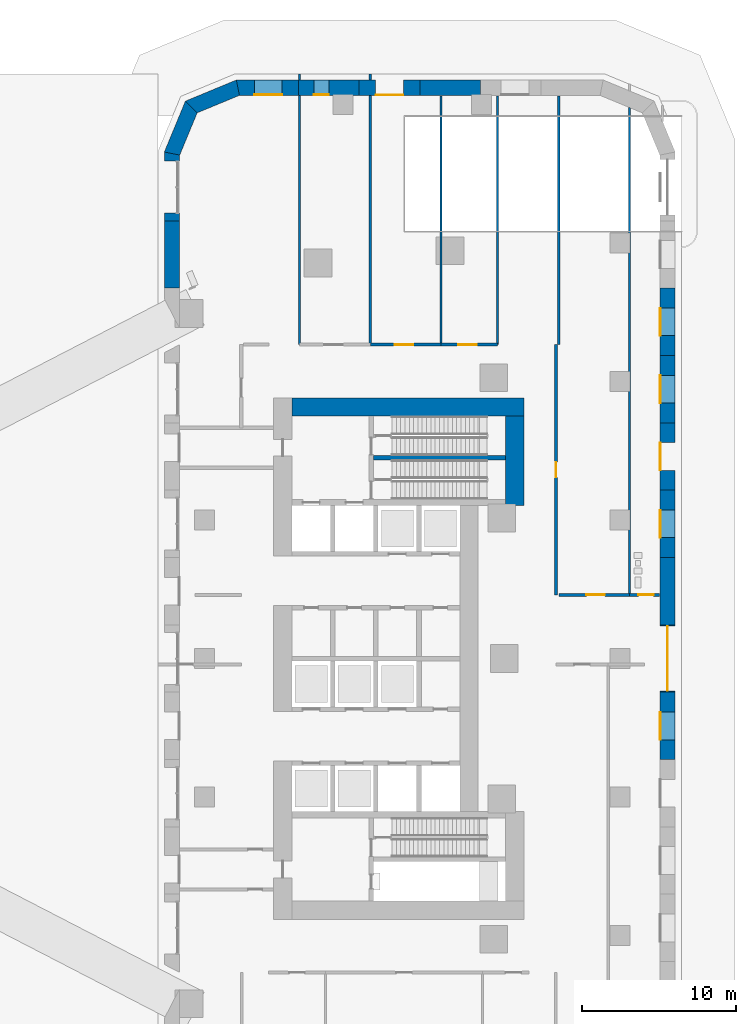
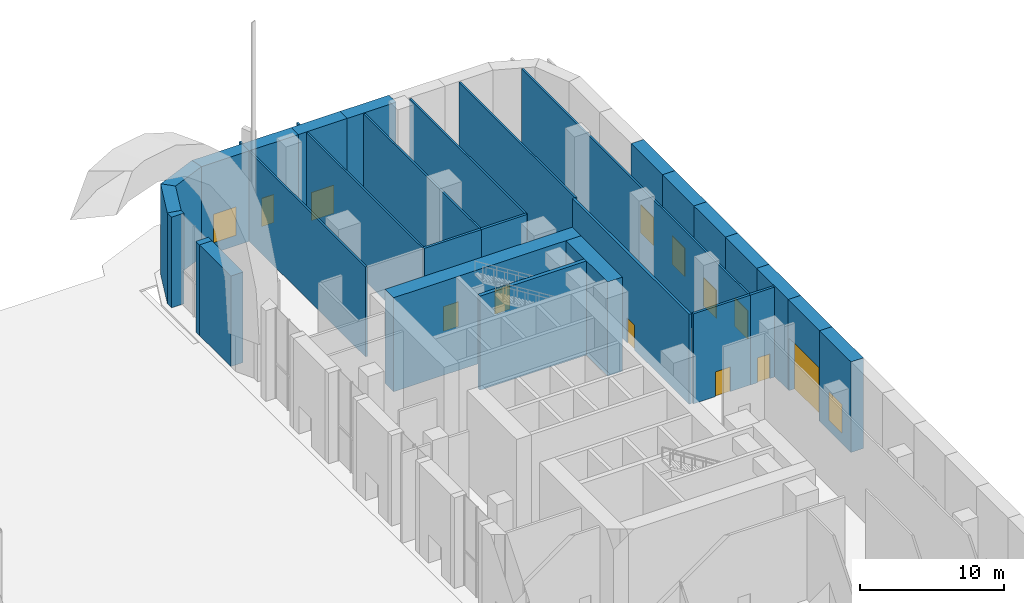
# One storey, part 13 of 22: 32 walls, 8 doors, 6 windows, 14 openings.
"""IFC4 building model written with IfcOpenShell, lengths in metres."""

import ifcopenshell
import ifcopenshell.guid

model = None  # the IFC model being written
_history = None  # IfcOwnerHistory: only IFC2X3 demands one
_inside = {}  # id of a spatial element -> (the spatial element, [elements in it])
_under = {}  # id of a project, library or spatial element -> (it, [spatial elements below it])
_declared = {}  # id of a project -> (the project, [libraries it declares])
_typed = {}  # id of a type object -> (the type object, [elements of that type])
_made_of = {}  # id of a material, layer set ... -> (it, [elements and type objects made of it])


def new_model(schema):
    """Start an empty IFC model of exactly this schema.

    Asked for "IFC4X3", IfcOpenShell would pick the latest addendum, in which some entities
    have other attributes; the version numbers below select the first issue.
    IFC2X3 requires an IfcOwnerHistory on every rooted entity: one is made here for all.
    """
    global model, _history
    if schema == "IFC4X3":
        model = ifcopenshell.file(schema_version=(4, 3, 0, 0))
    else:
        model = ifcopenshell.file(schema=schema)
    _inside.clear()
    _under.clear()
    _declared.clear()
    _typed.clear()
    _made_of.clear()
    _history = None
    if model.schema == "IFC2X3":
        org = make("IfcOrganization", Name="unknown")
        user = make(
            "IfcPersonAndOrganization",
            ThePerson=make("IfcPerson", FamilyName="unknown"),
            TheOrganization=org,
        )
        app = make(
            "IfcApplication",
            ApplicationDeveloper=org,
            Version="unknown",
            ApplicationFullName="unknown",
            ApplicationIdentifier="unknown",
        )
        _history = make(
            "IfcOwnerHistory",
            OwningUser=user,
            OwningApplication=app,
            ChangeAction="ADDED",
            CreationDate=0,
        )
    return model


def make(cls, **values):
    """One entity of the class cls with the attributes given. An attribute that is None is left unset."""
    return model.create_entity(
        cls, **{name: value for name, value in values.items() if value is not None}
    )


def rooted(cls, **values):
    """An entity with a GlobalId (a new one), such as an element, a storey or a relation."""
    return make(cls, GlobalId=ifcopenshell.guid.new(), OwnerHistory=_history, **values)


def si_unit(unit_type, name, prefix=None):
    """IfcSIUnit, for example si_unit("LENGTHUNIT", "METRE", prefix="MILLI")."""
    return make("IfcSIUnit", UnitType=unit_type, Prefix=prefix, Name=name)


def assignment(units):
    """IfcUnitAssignment: the units of a project."""
    return None if units is None else make("IfcUnitAssignment", Units=units)


def point(xyz):
    """IfcCartesianPoint."""
    return None if xyz is None else make("IfcCartesianPoint", Coordinates=xyz)


def direction(xyz):
    """IfcDirection."""
    return None if xyz is None else make("IfcDirection", DirectionRatios=xyz)


def frame(location, z_axis=None, x_axis=None):
    """IfcAxis2Placement3D, a coordinate frame: its origin and axes. An axis left out is left unset."""
    return make(
        "IfcAxis2Placement3D",
        Location=point(location),
        Axis=direction(z_axis),
        RefDirection=direction(x_axis),
    )


def frame_2d(location, x_axis=None):
    """IfcAxis2Placement2D, a coordinate frame in the plane: its origin and x axis."""
    return make(
        "IfcAxis2Placement2D", Location=point(location), RefDirection=direction(x_axis)
    )


def origin():
    """The frame at (0, 0, 0) with its axes left unset."""
    return frame((0.0, 0.0, 0.0))


def place(relative_to, where):
    """IfcLocalPlacement: puts the frame where relative to a parent placement (None: the world)."""
    return make(
        "IfcLocalPlacement", PlacementRelTo=relative_to, RelativePlacement=where
    )


def context(
    kind, dimensions, precision=None, world=None, true_north=None, identifier=None
):
    """IfcGeometricRepresentationContext, for example the 3D "Model" context."""
    return make(
        "IfcGeometricRepresentationContext",
        ContextIdentifier=identifier,
        ContextType=kind,
        CoordinateSpaceDimension=dimensions,
        Precision=precision,
        WorldCoordinateSystem=world,
        TrueNorth=true_north,
    )


def subcontext(parent, identifier, kind, view, scale=None):
    """IfcGeometricRepresentationSubContext, for example "Body" below "Model"."""
    return make(
        "IfcGeometricRepresentationSubContext",
        ContextIdentifier=identifier,
        ContextType=kind,
        ParentContext=parent,
        TargetScale=scale,
        TargetView=view,
    )


def project(units=None, contexts=None):
    """IfcProject with its units and contexts."""
    return rooted(
        "IfcProject",
        Name="project",
        RepresentationContexts=contexts,
        UnitsInContext=assignment(units),
    )


def spatial(cls, under=None, at=None, **own):
    """A site, building, storey or space (cls), placed at a placement, below another one or the project."""
    s = rooted(cls, ObjectPlacement=at, **own)
    if under is not None:
        _under.setdefault(under.id(), (under, []))[1].append(s)
    return s


def polyline(points):
    """IfcPolyline through the points."""
    return make("IfcPolyline", Points=[point(p) for p in points])


def profile(cls, at=None, kind="AREA", **sizes):
    """A parametric profile (cls). Its sizes go by their IFC names, for example OverallWidth=200.0."""
    return make(cls, ProfileType=kind, Position=at, **sizes)


def rectangle(**sizes):
    """IfcRectangleProfileDef."""
    return profile("IfcRectangleProfileDef", **sizes)


def outline(outer, holes=None, kind="AREA"):
    """IfcArbitraryClosedProfileDef: a profile drawn as a closed curve; with holes, ...WithVoids."""
    if holes is None:
        return make("IfcArbitraryClosedProfileDef", ProfileType=kind, OuterCurve=outer)
    return make(
        "IfcArbitraryProfileDefWithVoids",
        ProfileType=kind,
        OuterCurve=outer,
        InnerCurves=holes,
    )


def extrude(swept, where, along, depth):
    """IfcExtrudedAreaSolid: the profile swept, set in the frame where, extruded along a direction by depth."""
    return make(
        "IfcExtrudedAreaSolid",
        SweptArea=swept,
        Position=where,
        ExtrudedDirection=direction(along),
        Depth=depth,
    )


def shape(context_of_items, identifier, shape_type, items):
    """IfcShapeRepresentation: the items that make up one representation, for example the "Body"."""
    return make(
        "IfcShapeRepresentation",
        ContextOfItems=context_of_items,
        RepresentationIdentifier=identifier,
        RepresentationType=shape_type,
        Items=items,
    )


def material(Name=None, Category=None):
    """IfcMaterial."""
    return make("IfcMaterial", Name=Name, Category=Category)


def layer(
    of_material, thickness, ventilated=None, Name=None, Category=None, Priority=None
):
    """IfcMaterialLayer: one layer of a wall or slab, of a material (None: an air gap)."""
    return make(
        "IfcMaterialLayer",
        Material=of_material,
        LayerThickness=thickness,
        IsVentilated=ventilated,
        Name=Name,
        Category=Category,
        Priority=Priority,
    )


def layer_set(layers, Name=None):
    """IfcMaterialLayerSet."""
    return make("IfcMaterialLayerSet", MaterialLayers=layers, LayerSetName=Name)


def made_of(thing, what):
    """Note that an element or type object is made of a material, layer set ...; save() writes the relation."""
    if what is not None:
        _made_of.setdefault(what.id(), (what, []))[1].append(thing)
    return thing


def type_object(cls, material=None, **own):
    """A type object (cls), such as IfcWallType, which elements share."""
    return made_of(rooted(cls, **own), material)


def element(
    cls,
    number,
    at=None,
    inside=None,
    cuts=None,
    type_object=None,
    material=None,
    context=None,
    identifier="Body",
    shape_type=None,
    held_by="IfcProductDefinitionShape",
    body=None,
    shapes=None,
    **own,
):
    """One element of the class cls, such as IfcWall. Its Tag is "e" and its number.

    at: its placement. inside: the storey or other place that contains it. cuts: it is an
    opening in that element (IfcRelVoidsElement). A single representation is given by context,
    identifier, shape_type and body (its items); several are given by shapes. held_by: the class
    of the entity that holds the representations. save() writes the other relations.
    """
    e = rooted(cls, Tag="e%d" % number, ObjectPlacement=at, **own)
    if body is not None:
        shapes = [shape(context, identifier, shape_type, body)]
    if shapes is not None:
        e.Representation = make(held_by, Representations=shapes)
    if inside is not None:
        _inside.setdefault(inside.id(), (inside, []))[1].append(e)
    if cuts is not None:
        rooted(
            "IfcRelVoidsElement", RelatingBuildingElement=cuts, RelatedOpeningElement=e
        )
    if type_object is not None:
        _typed.setdefault(type_object.id(), (type_object, []))[1].append(e)
    return made_of(e, material)


def fill(opening, filler):
    """IfcRelFillsElement: the door or window that sits in an opening."""
    return rooted(
        "IfcRelFillsElement",
        RelatingOpeningElement=opening,
        RelatedBuildingElement=filler,
    )


def aggregate(whole, parts):
    """IfcRelAggregates: a whole, such as a stair, and the parts it consists of."""
    return rooted("IfcRelAggregates", RelatingObject=whole, RelatedObjects=parts)


def save(model, path):
    """Write the relations noted so far, then the file.

    IfcRelAggregates (storeys below a building ...), IfcRelContainedInSpatialStructure (elements
    in a storey), IfcRelDefinesByType, IfcRelAssociatesMaterial and IfcRelDeclares: one each for
    every whole, place, type object, material and project.
    """
    for whole, parts in _under.values():
        aggregate(whole, parts)
    for where, things in _inside.values():
        rooted(
            "IfcRelContainedInSpatialStructure",
            RelatedElements=things,
            RelatingStructure=where,
        )
    for kind, things in _typed.values():
        rooted("IfcRelDefinesByType", RelatedObjects=things, RelatingType=kind)
    for what, things in _made_of.values():
        rooted("IfcRelAssociatesMaterial", RelatedObjects=things, RelatingMaterial=what)
    for by, libraries in _declared.values():
        rooted("IfcRelDeclares", RelatingContext=by, RelatedDefinitions=libraries)
    model.write(path)


model = new_model("IFC4")

# Units and contexts
model_context = context("Model", 3, precision=1e-05, world=origin(), true_north=direction((0.0, 1.0)))
body_context = subcontext(model_context, "Body", "Model", "MODEL_VIEW")
ifc_project = project(units=[si_unit("LENGTHUNIT", "METRE"), si_unit("AREAUNIT", "SQUARE_METRE"), si_unit("VOLUMEUNIT", "CUBIC_METRE"), si_unit("PLANEANGLEUNIT", "RADIAN"), si_unit("MASSUNIT", "GRAM", prefix="KILO")], contexts=[model_context])

# Site, building, storey
site_placement = place(None, origin())
site = spatial("IfcSite", under=ifc_project, at=site_placement, CompositionType="ELEMENT")
building_placement = place(site_placement, origin())
building = spatial("IfcBuilding", under=site, at=building_placement, Name="Ostrand Prow Hotel Tower", CompositionType="ELEMENT")
storey_placement = place(building_placement, origin())
storey = spatial("IfcBuildingStorey", under=building, at=storey_placement, Name="L00", CompositionType="ELEMENT", Elevation=0.0)

# Walls
ifc_material_1 = material(Name="Concrete C80/95", Category="concrete")
ifc_layer_1 = layer(ifc_material_1, 1.199951171875)
ifc_layer_set_1 = layer_set([ifc_layer_1], Name="Concrete C80/95")
wall_type_1 = type_object("IfcWallType", Name="Core wall 1200 C80/95", PredefinedType="SHEAR", material=ifc_layer_set_1)
wall_1_placement = place(storey_placement, frame((50.699951171875, 16.35009765625, 0.0), z_axis=(0.0, 0.0, 1.0), x_axis=(1.0, 0.0, 0.0)))
element("IfcWall", 1, at=wall_1_placement, inside=storey, type_object=wall_type_1, Name="Core wall CW-N", PredefinedType="SHEAR", context=body_context, shape_type="SweptSolid", body=[
    extrude(rectangle(XDim=15.06005859375, YDim=1.199951171875, at=frame_2d((7.530029296875, 0.0))), origin(), (0.0, 0.0, 1.0), 8.0),
])
wall_2_placement = place(storey_placement, frame((65.159912109375, 9.949951171875, 0.0), z_axis=(0.0, 0.0, 1.0), x_axis=(0.0, 1.0, 0.0)))
element("IfcWall", 2, at=wall_2_placement, inside=storey, type_object=wall_type_1, Name="Core wall CW-E-N", PredefinedType="SHEAR", context=body_context, shape_type="SweptSolid", body=[
    extrude(rectangle(XDim=5.800048828125, YDim=1.199951171875, at=frame_2d((2.89990234375, 0.0))), origin(), (0.0, 0.0, 1.0), 8.0),
])
ifc_material_2 = material(Name="Concrete C80/95", Category="concrete")
ifc_layer_2 = layer(ifc_material_2, 0.300048828125)
ifc_layer_set_2 = layer_set([ifc_layer_2], Name="Concrete C80/95")
wall_type_2 = type_object("IfcWallType", Name="Core wall 300 C80/95", PredefinedType="SHEAR", material=ifc_layer_set_2)
wall_3_placement = place(storey_placement, frame((56.0, 13.050048828125, 0.0), z_axis=(0.0, 0.0, 1.0), x_axis=(1.0, 0.0, 0.0)))
element("IfcWall", 3, at=wall_3_placement, inside=storey, type_object=wall_type_2, Name="Core wall PW-ST13", PredefinedType="SHEAR", context=body_context, shape_type="SweptSolid", body=[
    extrude(rectangle(XDim=8.56005859375, YDim=0.300048828125, at=frame_2d((4.280029296875, 0.0))), origin(), (0.0, 0.0, 1.0), 8.0),
])
ifc_material_3 = material(Name="Plasterboard partition")
ifc_layer_3 = layer(ifc_material_3, 0.14990234375)
ifc_layer_set_3 = layer_set([ifc_layer_3], Name="Plasterboard partition")
wall_type_3 = type_object("IfcWallType", Name="Partition 150 room partition", PredefinedType="PARTITIONING", material=ifc_layer_set_3)
wall_4_placement = place(storey_placement, frame((51.189208984375, 20.39990234375, 0.0), z_axis=(0.0, 0.0, 1.0), x_axis=(0.0, 1.0, 0.0)))
element("IfcWall", 4, at=wall_4_placement, inside=storey, type_object=wall_type_3, Name="ROOM PARTITION", PredefinedType="PARTITIONING", context=body_context, shape_type="SweptSolid", body=[
    extrude(rectangle(XDim=16.2001953125, YDim=0.14990234375, at=frame_2d((8.10009765625, 0.0))), origin(), (0.0, 0.0, 1.0), 7.64990234375),
])
wall_5_placement = place(storey_placement, frame((51.189208984375, 37.60009765625, 0.0), z_axis=(0.0, 0.0, 1.0), x_axis=(0.0, 1.0, 0.0)))
element("IfcWall", 5, at=wall_5_placement, inside=storey, type_object=wall_type_3, Name="ROOM PARTITION", PredefinedType="PARTITIONING", context=body_context, shape_type="SweptSolid", body=[
    extrude(rectangle(XDim=0.39990234375, YDim=0.14990234375, at=frame_2d((0.199951171875, 0.0))), origin(), (0.0, 0.0, 1.0), 7.64990234375),
])
wall_6_placement = place(storey_placement, frame((55.78369140625, 20.39990234375, 0.0), z_axis=(0.0, 0.0, 1.0), x_axis=(0.0, 1.0, 0.0)))
element("IfcWall", 6, at=wall_6_placement, inside=storey, type_object=wall_type_3, Name="ROOM PARTITION", PredefinedType="PARTITIONING", context=body_context, shape_type="SweptSolid", body=[
    extrude(rectangle(XDim=16.2001953125, YDim=0.14990234375, at=frame_2d((8.10009765625, 0.0))), origin(), (0.0, 0.0, 1.0), 7.64990234375),
])
wall_7_placement = place(storey_placement, frame((55.78369140625, 37.60009765625, 0.0), z_axis=(0.0, 0.0, 1.0), x_axis=(0.0, 1.0, 0.0)))
element("IfcWall", 7, at=wall_7_placement, inside=storey, type_object=wall_type_3, Name="ROOM PARTITION", PredefinedType="PARTITIONING", context=body_context, shape_type="SweptSolid", body=[
    extrude(rectangle(XDim=0.39990234375, YDim=0.14990234375, at=frame_2d((0.199951171875, 0.0))), origin(), (0.0, 0.0, 1.0), 7.64990234375),
])
for number, where, z_axis, x_axis, name in (
    (8, (60.37841796875, 20.39990234375, 0.0), (0.0, 0.0, 1.0), (0.0, 1.0, 0.0), "ROOM PARTITION"),
    (9, (64.05419921875, 20.39990234375, 0.0), (0.0, 0.0, 1.0), (0.0, 1.0, 0.0), "ROOM PARTITION"),
):
    element("IfcWall", number, at=place(storey_placement, frame(where, z_axis=z_axis, x_axis=x_axis)), inside=storey, type_object=wall_type_3, Name=name, PredefinedType="PARTITIONING", context=body_context, shape_type="SweptSolid", body=[
        extrude(rectangle(XDim=16.170166015625, YDim=0.14990234375, at=frame_2d((8.0849609375, 0.0))), origin(), (0.0, 0.0, 1.0), 7.64990234375),
    ])
wall_8_placement = place(storey_placement, frame((72.630615234375, 4.138671875, 0.0), z_axis=(0.0, 0.0, 1.0), x_axis=(0.0, 1.0, 0.0)))
element("IfcWall", 10, at=wall_8_placement, inside=storey, type_object=wall_type_3, Name="ROOM PARTITION", PredefinedType="PARTITIONING", context=body_context, shape_type="SweptSolid", body=[
    extrude(rectangle(XDim=31.67041015625, YDim=0.14990234375, at=frame_2d((15.835205078125, 0.0))), origin(), (0.0, 0.0, 1.0), 7.64990234375),
])
wall_9_placement = place(storey_placement, frame((68.035888671875, 20.39990234375, 0.0), z_axis=(0.0, 0.0, 1.0), x_axis=(0.0, 1.0, 0.0)))
element("IfcWall", 11, at=wall_9_placement, inside=storey, type_object=wall_type_3, Name="ROOM PARTITION", PredefinedType="PARTITIONING", context=body_context, shape_type="SweptSolid", body=[
    extrude(rectangle(XDim=16.170166015625, YDim=0.14990234375, at=frame_2d((8.0849609375, 0.0))), origin(), (0.0, 0.0, 1.0), 7.64990234375),
])

# Wall, opening, door
ifc_material_4 = material(Name="Plasterboard partition")
ifc_layer_4 = layer(ifc_material_4, 0.199951171875)
ifc_layer_set_4 = layer_set([ifc_layer_4], Name="Plasterboard partition")
wall_type_4 = type_object("IfcWallType", Name="Partition 200 corridor wall", PredefinedType="PARTITIONING", material=ifc_layer_set_4)
wall_10_placement = place(storey_placement, frame((68.035888671875, 4.138671875, 0.0), z_axis=(0.0, 0.0, 1.0), x_axis=(1.0, 0.0, 0.0)))
wall_10 = element("IfcWall", 12, at=wall_10_placement, inside=storey, type_object=wall_type_4, Name="CORRIDOR WALL", PredefinedType="PARTITIONING", context=body_context, shape_type="SweptSolid", body=[
    extrude(rectangle(XDim=4.5947265625, YDim=0.199951171875, at=frame_2d((2.29736328125, 0.0))), origin(), (0.0, 0.0, 1.0), 7.64990234375),
])
opening_1_placement = place(wall_10_placement, frame((1.79736328125, 0.0, 0.0)))
opening_1 = element("IfcOpeningElement", 13, at=opening_1_placement, cuts=wall_10, Name="Opening D12", PredefinedType="OPENING", context=body_context, shape_type="SweptSolid", body=[
    extrude(rectangle(XDim=1.199951171875, YDim=2.10009765625, at=frame_2d((0.60009765625, 1.050048828125))), frame((0.0, 0.10986328125, 0.0), z_axis=(0.0, -1.0, 0.0), x_axis=(1.0, 0.0, 0.0)), (0.0, 0.0, 1.0), 0.219970703125),
])
ifc_material_5 = material(Name="Steel service door", Category="steel")
door_type_1 = type_object("IfcDoorType", Name="Service door 1200", OperationType="SINGLE_SWING_RIGHT", PredefinedType="DOOR", material=ifc_material_5)
door_1_placement = place(opening_1_placement, origin())
door_1 = element("IfcDoor", 14, at=door_1_placement, inside=storey, type_object=door_type_1, Name="DOOR", OperationType="SINGLE_SWING_RIGHT", OverallHeight=2.10009765625, OverallWidth=1.199951171875, PredefinedType="DOOR", context=body_context, shape_type="SweptSolid", body=[
    extrude(rectangle(XDim=1.199951171875, YDim=2.10009765625, at=frame_2d((0.60009765625, 1.050048828125))), frame((0.0, 0.02490234375, 0.0), z_axis=(0.0, -1.0, 0.0), x_axis=(1.0, 0.0, 0.0)), (0.0, 0.0, 1.0), 0.050048828125),
])
fill(opening_1, door_1)

wall_11_placement = place(storey_placement, frame((72.630615234375, 4.138671875, 0.0), z_axis=(0.0, 0.0, 1.0), x_axis=(1.0, 0.0, 0.0)))
wall_11 = element("IfcWall", 15, at=wall_11_placement, inside=storey, type_object=wall_type_4, Name="CORRIDOR WALL", PredefinedType="PARTITIONING", context=body_context, shape_type="SweptSolid", body=[
    extrude(rectangle(XDim=1.939453125, YDim=0.199951171875, at=frame_2d((0.9697265625, 0.0))), origin(), (0.0, 0.0, 1.0), 7.64990234375),
])
opening_2_placement = place(wall_11_placement, frame((0.572021484375, 0.0, 0.0)))
opening_2 = element("IfcOpeningElement", 16, at=opening_2_placement, cuts=wall_11, Name="Opening D1R", PredefinedType="OPENING", context=body_context, shape_type="SweptSolid", body=[
    extrude(rectangle(XDim=1.0, YDim=2.10009765625, at=frame_2d((0.5, 1.050048828125))), frame((0.0, 0.10986328125, 0.0), z_axis=(0.0, -1.0, 0.0), x_axis=(1.0, 0.0, 0.0)), (0.0, 0.0, 1.0), 0.219970703125),
])
ifc_material_6 = material(Name="Timber door leaf", Category="wood")
door_type_2 = type_object("IfcDoorType", Name="Guest room door 1000 right", OperationType="SINGLE_SWING_RIGHT", PredefinedType="DOOR", material=ifc_material_6)
door_2_placement = place(opening_2_placement, origin())
door_2 = element("IfcDoor", 17, at=door_2_placement, inside=storey, type_object=door_type_2, Name="DOOR", OperationType="SINGLE_SWING_RIGHT", OverallHeight=2.10009765625, OverallWidth=1.0, PredefinedType="DOOR", context=body_context, shape_type="SweptSolid", body=[
    extrude(rectangle(XDim=1.0, YDim=2.10009765625, at=frame_2d((0.5, 1.050048828125))), frame((0.0, 0.02490234375, 0.0), z_axis=(0.0, -1.0, 0.0), x_axis=(1.0, 0.0, 0.0)), (0.0, 0.0, 1.0), 0.050048828125),
])
fill(opening_2, door_2)

wall_12_placement = place(storey_placement, frame((60.37841796875, 20.39990234375, 0.0), z_axis=(0.0, 0.0, 1.0), x_axis=(-1.0, 0.0, 0.0)))
wall_12 = element("IfcWall", 18, at=wall_12_placement, inside=storey, type_object=wall_type_4, Name="CORRIDOR WALL", PredefinedType="PARTITIONING", context=body_context, shape_type="SweptSolid", body=[
    extrude(rectangle(XDim=4.5947265625, YDim=0.199951171875, at=frame_2d((2.29736328125, 0.0))), origin(), (0.0, 0.0, 1.0), 7.64990234375),
])
opening_3_placement = place(wall_12_placement, frame((1.79736328125, 0.0, 0.0)))
opening_3 = element("IfcOpeningElement", 19, at=opening_3_placement, cuts=wall_12, Name="Opening D12", PredefinedType="OPENING", context=body_context, shape_type="SweptSolid", body=[
    extrude(rectangle(XDim=1.199951171875, YDim=2.10009765625, at=frame_2d((0.60009765625, 1.050048828125))), frame((0.0, 0.10986328125, 0.0), z_axis=(0.0, -1.0, 0.0), x_axis=(1.0, 0.0, 0.0)), (0.0, 0.0, 1.0), 0.219970703125),
])
door_3_placement = place(opening_3_placement, origin())
door_3 = element("IfcDoor", 20, at=door_3_placement, inside=storey, type_object=door_type_1, Name="DOOR", OperationType="SINGLE_SWING_RIGHT", OverallHeight=2.10009765625, OverallWidth=1.199951171875, PredefinedType="DOOR", context=body_context, shape_type="SweptSolid", body=[
    extrude(rectangle(XDim=1.199951171875, YDim=2.10009765625, at=frame_2d((0.60009765625, 1.050048828125))), frame((0.0, 0.02490234375, 0.0), z_axis=(0.0, -1.0, 0.0), x_axis=(1.0, 0.0, 0.0)), (0.0, 0.0, 1.0), 0.050048828125),
])
fill(opening_3, door_3)

wall_13_placement = place(storey_placement, frame((64.05419921875, 20.39990234375, 0.0), z_axis=(0.0, 0.0, 1.0), x_axis=(-1.0, 0.0, 0.0)))
wall_13 = element("IfcWall", 21, at=wall_13_placement, inside=storey, type_object=wall_type_4, Name="CORRIDOR WALL", PredefinedType="PARTITIONING", context=body_context, shape_type="SweptSolid", body=[
    extrude(rectangle(XDim=3.67578125, YDim=0.199951171875, at=frame_2d((1.837890625, 0.0))), origin(), (0.0, 0.0, 1.0), 7.64990234375),
])
opening_4_placement = place(wall_13_placement, frame((1.337890625, 0.0, 0.0)))
opening_4 = element("IfcOpeningElement", 22, at=opening_4_placement, cuts=wall_13, Name="Opening D12", PredefinedType="OPENING", context=body_context, shape_type="SweptSolid", body=[
    extrude(rectangle(XDim=1.199951171875, YDim=2.10009765625, at=frame_2d((0.60009765625, 1.050048828125))), frame((0.0, 0.10986328125, 0.0), z_axis=(0.0, -1.0, 0.0), x_axis=(1.0, 0.0, 0.0)), (0.0, 0.0, 1.0), 0.219970703125),
])
door_4_placement = place(opening_4_placement, origin())
door_4 = element("IfcDoor", 23, at=door_4_placement, inside=storey, type_object=door_type_1, Name="DOOR", OperationType="SINGLE_SWING_RIGHT", OverallHeight=2.10009765625, OverallWidth=1.199951171875, PredefinedType="DOOR", context=body_context, shape_type="SweptSolid", body=[
    extrude(rectangle(XDim=1.199951171875, YDim=2.10009765625, at=frame_2d((0.60009765625, 1.050048828125))), frame((0.0, 0.02490234375, 0.0), z_axis=(0.0, -1.0, 0.0), x_axis=(1.0, 0.0, 0.0)), (0.0, 0.0, 1.0), 0.050048828125),
])
fill(opening_4, door_4)

wall_14_placement = place(storey_placement, frame((67.860107421875, 4.138671875, 0.0), z_axis=(0.0, 0.0, 1.0), x_axis=(0.0, 1.0, 0.0)))
wall_14 = element("IfcWall", 24, at=wall_14_placement, inside=storey, type_object=wall_type_4, Name="CORRIDOR WALL", PredefinedType="PARTITIONING", context=body_context, shape_type="SweptSolid", body=[
    extrude(rectangle(XDim=16.26123046875, YDim=0.199951171875, at=frame_2d((8.130615234375, 0.0))), origin(), (0.0, 0.0, 1.0), 7.64990234375),
])
opening_5_placement = place(wall_14_placement, frame((7.630615234375, 0.0, 0.0)))
opening_5 = element("IfcOpeningElement", 25, at=opening_5_placement, cuts=wall_14, Name="Opening D1", PredefinedType="OPENING", context=body_context, shape_type="SweptSolid", body=[
    extrude(rectangle(XDim=1.0, YDim=2.10009765625, at=frame_2d((0.5, 1.050048828125))), frame((0.0, 0.10986328125, 0.0), z_axis=(0.0, -1.0, 0.0), x_axis=(1.0, 0.0, 0.0)), (0.0, 0.0, 1.0), 0.219970703125),
])
ifc_material_7 = material(Name="Timber door leaf", Category="wood")
door_type_3 = type_object("IfcDoorType", Name="Guest room door 1000", OperationType="SINGLE_SWING_LEFT", PredefinedType="DOOR", material=ifc_material_7)
door_5_placement = place(opening_5_placement, origin())
door_5 = element("IfcDoor", 26, at=door_5_placement, inside=storey, type_object=door_type_3, Name="DOOR", OperationType="SINGLE_SWING_LEFT", OverallHeight=2.10009765625, OverallWidth=1.0, PredefinedType="DOOR", context=body_context, shape_type="SweptSolid", body=[
    extrude(rectangle(XDim=1.0, YDim=2.10009765625, at=frame_2d((0.5, 1.050048828125))), frame((0.0, 0.02490234375, 0.0), z_axis=(0.0, -1.0, 0.0), x_axis=(1.0, 0.0, 0.0)), (0.0, 0.0, 1.0), 0.050048828125),
])
fill(opening_5, door_5)

# Wall, opening, window
ifc_material_8 = material(Name="Precast concrete C40/50", Category="concrete")
ifc_layer_5 = layer(ifc_material_8, 1.0)
ifc_layer_set_5 = layer_set([ifc_layer_5], Name="Precast concrete C40/50")
wall_type_5 = type_object("IfcWallType", Name="Portal pier wall 1000 mm", PredefinedType="NOTDEFINED", material=ifc_layer_set_5)
wall_15_placement = place(storey_placement, frame((75.10009765625, -6.564208984375, 0.0), z_axis=(0.0, 0.0, 1.0), x_axis=(0.0, 1.0, 0.0)))
wall_15 = element("IfcWall", 27, at=wall_15_placement, inside=storey, type_object=wall_type_5, Name="Portal pier wall L00-PP114", PredefinedType="NOTDEFINED", context=body_context, shape_type="SweptSolid", body=[
    extrude(outline(polyline([(0.0, -0.5), (4.376220703125, -0.5), (4.376220703125, 0.5), (0.0, 0.5), (0.0, -0.5)])), origin(), (0.0, 0.0, 1.0), 7.699951171875),
])
opening_6_placement = place(wall_15_placement, frame((1.2880859375, 0.0, 0.89990234375)))
opening_6 = element("IfcOpeningElement", 28, at=opening_6_placement, cuts=wall_15, Name="Opening WP2", PredefinedType="OPENING", context=body_context, shape_type="SweptSolid", body=[
    extrude(rectangle(XDim=1.800048828125, YDim=2.39990234375, at=frame_2d((0.89990234375, 1.199951171875))), frame((0.0, 0.510009765625, 0.0), z_axis=(0.0, -1.0, 0.0), x_axis=(1.0, 0.0, 0.0)), (0.0, 0.0, 1.0), 1.02001953125),
])
ifc_material_9 = material(Name="Insulated glass in bronze anodised frame", Category="glass")
window_type = type_object("IfcWindowType", Name="Portal window 1800x2400", PartitioningType="SINGLE_PANEL", PredefinedType="WINDOW", material=ifc_material_9)
window_1_placement = place(opening_6_placement, origin())
window_1 = element("IfcWindow", 29, at=window_1_placement, inside=storey, type_object=window_type, Name="Portal window L00-PP114", OverallHeight=2.39990234375, OverallWidth=1.800048828125, PartitioningType="SINGLE_PANEL", PredefinedType="WINDOW", context=body_context, shape_type="SweptSolid", body=[
    extrude(rectangle(XDim=1.800048828125, YDim=2.39990234375, at=frame_2d((0.89990234375, 1.199951171875))), frame((0.0, 0.5, 0.0), z_axis=(0.0, -1.0, 0.0), x_axis=(1.0, 0.0, 0.0)), (0.0, 0.0, 1.0), 0.06005859375),
])
fill(opening_6, window_1)

# Wall, opening, door
wall_16_placement = place(storey_placement, frame((75.10009765625, -2.18798828125, 0.0), z_axis=(0.0, 0.0, 1.0), x_axis=(0.0, 1.0, 0.0)))
wall_16 = element("IfcWall", 30, at=wall_16_placement, inside=storey, type_object=wall_type_5, Name="Portal pier wall L00-PP115", PredefinedType="NOTDEFINED", context=body_context, shape_type="SweptSolid", body=[
    extrude(outline(polyline([(0.0, -0.5), (4.3759765625, -0.5), (4.3759765625, 0.5), (0.0, 0.5), (0.0, -0.5)])), origin(), (0.0, 0.0, 1.0), 7.699951171875),
])
opening_7_placement = place(wall_16_placement, frame((0.088134765625, 0.0, 0.0)))
opening_7 = element("IfcOpeningElement", 31, at=opening_7_placement, cuts=wall_16, Name="Opening E07", PredefinedType="OPENING", context=body_context, shape_type="SweptSolid", body=[
    extrude(rectangle(XDim=4.199951171875, YDim=4.5, at=frame_2d((2.10009765625, 2.25))), frame((0.0, 0.510009765625, 0.0), z_axis=(0.0, -1.0, 0.0), x_axis=(1.0, 0.0, 0.0)), (0.0, 0.0, 1.0), 1.02001953125),
])
ifc_material_10 = material(Name="Galvanised steel", Category="steel")
door_type_4 = type_object("IfcDoorType", Name="Loading dock roller shutter 4200x4500", OperationType="ROLLINGUP", PredefinedType="DOOR", material=ifc_material_10)
door_6_placement = place(opening_7_placement, origin())
door_6 = element("IfcDoor", 32, at=door_6_placement, inside=storey, type_object=door_type_4, Name="Loading dock door E07 DV1", OperationType="ROLLINGUP", OverallHeight=4.5, OverallWidth=4.199951171875, PredefinedType="DOOR", context=body_context, shape_type="SweptSolid", body=[
    extrude(rectangle(XDim=4.199951171875, YDim=4.5, at=frame_2d((2.10009765625, 2.25))), frame((0.0, 0.02490234375, 0.0), z_axis=(0.0, -1.0, 0.0), x_axis=(1.0, 0.0, 0.0)), (0.0, 0.0, 1.0), 0.050048828125),
])
fill(opening_7, door_6)

# Wall
wall_17_placement = place(storey_placement, frame((75.10009765625, 2.18798828125, 0.0), z_axis=(0.0, 0.0, 1.0), x_axis=(0.0, 1.0, 0.0)))
element("IfcWall", 33, at=wall_17_placement, inside=storey, type_object=wall_type_5, Name="Portal pier wall L00-PP116", PredefinedType="NOTDEFINED", context=body_context, shape_type="SweptSolid", body=[
    extrude(outline(polyline([(0.0, -0.5), (4.376220703125, -0.5), (4.376220703125, 0.5), (0.0, 0.5), (0.0, -0.5)])), origin(), (0.0, 0.0, 1.0), 7.699951171875),
])

# Wall, opening, window
wall_18_placement = place(storey_placement, frame((75.10009765625, 6.564208984375, 0.0), z_axis=(0.0, 0.0, 1.0), x_axis=(0.0, 1.0, 0.0)))
wall_18 = element("IfcWall", 34, at=wall_18_placement, inside=storey, type_object=wall_type_5, Name="Portal pier wall L00-PP117", PredefinedType="NOTDEFINED", context=body_context, shape_type="SweptSolid", body=[
    extrude(outline(polyline([(0.0, -0.5), (4.3759765625, -0.5), (4.3759765625, 0.5), (0.0, 0.5), (0.0, -0.5)])), origin(), (0.0, 0.0, 1.0), 7.699951171875),
])
opening_8_placement = place(wall_18_placement, frame((1.2880859375, 0.0, 0.89990234375)))
opening_8 = element("IfcOpeningElement", 35, at=opening_8_placement, cuts=wall_18, Name="Opening WP2", PredefinedType="OPENING", context=body_context, shape_type="SweptSolid", body=[
    extrude(rectangle(XDim=1.800048828125, YDim=2.39990234375, at=frame_2d((0.89990234375, 1.199951171875))), frame((0.0, 0.510009765625, 0.0), z_axis=(0.0, -1.0, 0.0), x_axis=(1.0, 0.0, 0.0)), (0.0, 0.0, 1.0), 1.02001953125),
])
window_2_placement = place(opening_8_placement, origin())
window_2 = element("IfcWindow", 36, at=window_2_placement, inside=storey, type_object=window_type, Name="Portal window L00-PP117", OverallHeight=2.39990234375, OverallWidth=1.800048828125, PartitioningType="SINGLE_PANEL", PredefinedType="WINDOW", context=body_context, shape_type="SweptSolid", body=[
    extrude(rectangle(XDim=1.800048828125, YDim=2.39990234375, at=frame_2d((0.89990234375, 1.199951171875))), frame((0.0, 0.5, 0.0), z_axis=(0.0, -1.0, 0.0), x_axis=(1.0, 0.0, 0.0)), (0.0, 0.0, 1.0), 0.06005859375),
])
fill(opening_8, window_2)

# Wall, opening, door
wall_19_placement = place(storey_placement, frame((75.10009765625, 10.940185546875, 0.0), z_axis=(0.0, 0.0, 1.0), x_axis=(0.0, 1.0, 0.0)))
wall_19 = element("IfcWall", 37, at=wall_19_placement, inside=storey, type_object=wall_type_5, Name="Portal pier wall L00-PP118", PredefinedType="NOTDEFINED", context=body_context, shape_type="SweptSolid", body=[
    extrude(outline(polyline([(0.0, -0.5), (4.376220703125, -0.5), (4.376220703125, 0.5), (0.0, 0.5), (0.0, -0.5)])), origin(), (0.0, 0.0, 1.0), 7.699951171875),
])
opening_9_placement = place(wall_19_placement, frame((1.2880859375, 0.0, 0.0)))
opening_9 = element("IfcOpeningElement", 38, at=opening_9_placement, cuts=wall_19, Name="Opening E08", PredefinedType="OPENING", context=body_context, shape_type="SweptSolid", body=[
    extrude(rectangle(XDim=1.800048828125, YDim=2.39990234375, at=frame_2d((0.89990234375, 1.199951171875))), frame((0.0, 0.510009765625, 0.0), z_axis=(0.0, -1.0, 0.0), x_axis=(1.0, 0.0, 0.0)), (0.0, 0.0, 1.0), 1.02001953125),
])
ifc_material_11 = material(Name="Bronze anodised aluminium and glass", Category="aluminium")
door_type_5 = type_object("IfcDoorType", Name="Entrance double door 1800x2400", OperationType="DOUBLE_DOOR_SINGLE_SWING", PredefinedType="DOOR", material=ifc_material_11)
door_7_placement = place(opening_9_placement, origin())
door_7 = element("IfcDoor", 39, at=door_7_placement, inside=storey, type_object=door_type_5, Name="Entrance door E08 DE1", OperationType="DOUBLE_DOOR_SINGLE_SWING", OverallHeight=2.39990234375, OverallWidth=1.800048828125, PredefinedType="DOOR", context=body_context, shape_type="SweptSolid", body=[
    extrude(rectangle(XDim=1.800048828125, YDim=2.39990234375, at=frame_2d((0.89990234375, 1.199951171875))), frame((0.0, 0.4951171875, 0.0), z_axis=(0.0, -1.0, 0.0), x_axis=(1.0, 0.0, 0.0)), (0.0, 0.0, 1.0), 0.050048828125),
])
fill(opening_9, door_7)

# Wall, opening, window
wall_20_placement = place(storey_placement, frame((75.10009765625, 15.31640625, 0.0), z_axis=(0.0, 0.0, 1.0), x_axis=(0.0, 1.0, 0.0)))
wall_20 = element("IfcWall", 40, at=wall_20_placement, inside=storey, type_object=wall_type_5, Name="Portal pier wall L00-PP119", PredefinedType="NOTDEFINED", context=body_context, shape_type="SweptSolid", body=[
    extrude(outline(polyline([(0.0, -0.5), (4.376220703125, -0.5), (4.376220703125, 0.5), (0.0, 0.5), (0.0, -0.5)])), origin(), (0.0, 0.0, 1.0), 7.699951171875),
])
opening_10_placement = place(wall_20_placement, frame((1.2880859375, 0.0, 0.89990234375)))
opening_10 = element("IfcOpeningElement", 41, at=opening_10_placement, cuts=wall_20, Name="Opening WP2", PredefinedType="OPENING", context=body_context, shape_type="SweptSolid", body=[
    extrude(rectangle(XDim=1.800048828125, YDim=2.39990234375, at=frame_2d((0.89990234375, 1.199951171875))), frame((0.0, 0.510009765625, 0.0), z_axis=(0.0, -1.0, 0.0), x_axis=(1.0, 0.0, 0.0)), (0.0, 0.0, 1.0), 1.02001953125),
])
window_3_placement = place(opening_10_placement, origin())
window_3 = element("IfcWindow", 42, at=window_3_placement, inside=storey, type_object=window_type, Name="Portal window L00-PP119", OverallHeight=2.39990234375, OverallWidth=1.800048828125, PartitioningType="SINGLE_PANEL", PredefinedType="WINDOW", context=body_context, shape_type="SweptSolid", body=[
    extrude(rectangle(XDim=1.800048828125, YDim=2.39990234375, at=frame_2d((0.89990234375, 1.199951171875))), frame((0.0, 0.5, 0.0), z_axis=(0.0, -1.0, 0.0), x_axis=(1.0, 0.0, 0.0)), (0.0, 0.0, 1.0), 0.06005859375),
])
fill(opening_10, window_3)

wall_21_placement = place(storey_placement, frame((75.10009765625, 19.692626953125, 0.0), z_axis=(0.0, 0.0, 1.0), x_axis=(0.0, 1.0, 0.0)))
wall_21 = element("IfcWall", 43, at=wall_21_placement, inside=storey, type_object=wall_type_5, Name="Portal pier wall L00-PP120", PredefinedType="NOTDEFINED", context=body_context, shape_type="SweptSolid", body=[
    extrude(outline(polyline([(0.0, -0.5), (4.3759765625, -0.5), (4.3759765625, 0.5), (0.0, 0.5), (0.0, -0.5)])), origin(), (0.0, 0.0, 1.0), 7.699951171875),
])
opening_11_placement = place(wall_21_placement, frame((1.2880859375, 0.0, 0.89990234375)))
opening_11 = element("IfcOpeningElement", 44, at=opening_11_placement, cuts=wall_21, Name="Opening WP2", PredefinedType="OPENING", context=body_context, shape_type="SweptSolid", body=[
    extrude(rectangle(XDim=1.800048828125, YDim=2.39990234375, at=frame_2d((0.89990234375, 1.199951171875))), frame((0.0, 0.510009765625, 0.0), z_axis=(0.0, -1.0, 0.0), x_axis=(1.0, 0.0, 0.0)), (0.0, 0.0, 1.0), 1.02001953125),
])
window_4_placement = place(opening_11_placement, origin())
window_4 = element("IfcWindow", 45, at=window_4_placement, inside=storey, type_object=window_type, Name="Portal window L00-PP120", OverallHeight=2.39990234375, OverallWidth=1.800048828125, PartitioningType="SINGLE_PANEL", PredefinedType="WINDOW", context=body_context, shape_type="SweptSolid", body=[
    extrude(rectangle(XDim=1.800048828125, YDim=2.39990234375, at=frame_2d((0.89990234375, 1.199951171875))), frame((0.0, 0.5, 0.0), z_axis=(0.0, -1.0, 0.0), x_axis=(1.0, 0.0, 0.0)), (0.0, 0.0, 1.0), 0.06005859375),
])
fill(opening_11, window_4)

# Wall
wall_22_placement = place(storey_placement, frame((62.940185546875, 37.10009765625, 0.0), z_axis=(0.0, 0.0, 1.0), x_axis=(-1.0, 0.0, 0.0)))
element("IfcWall", 46, at=wall_22_placement, inside=storey, type_object=wall_type_5, Name="Portal pier wall L00-PP127", PredefinedType="NOTDEFINED", context=body_context, shape_type="SweptSolid", body=[
    extrude(outline(polyline([(0.0, -0.5), (3.940185546875, -0.5), (3.940185546875, 0.5), (0.0, 0.5), (0.0, -0.5)])), origin(), (0.0, 0.0, 1.0), 7.699951171875),
])

# Wall, opening, door
wall_23_placement = place(storey_placement, frame((59.0, 37.10009765625, 0.0), z_axis=(0.0, 0.0, 1.0), x_axis=(-1.0, 0.0, 0.0)))
wall_23 = element("IfcWall", 47, at=wall_23_placement, inside=storey, type_object=wall_type_5, Name="Portal pier wall L00-PP128", PredefinedType="NOTDEFINED", context=body_context, shape_type="SweptSolid", body=[
    extrude(outline(polyline([(0.0, -0.5), (3.940185546875, -0.5), (3.940185546875, 0.5), (0.0, 0.5), (0.0, -0.5)])), origin(), (0.0, 0.0, 1.0), 7.699951171875),
])
opening_12_placement = place(wall_23_placement, frame((1.0703125, 0.0, 0.0)))
opening_12 = element("IfcOpeningElement", 48, at=opening_12_placement, cuts=wall_23, Name="Opening E10", PredefinedType="OPENING", context=body_context, shape_type="SweptSolid", body=[
    extrude(rectangle(XDim=1.800048828125, YDim=2.39990234375, at=frame_2d((0.89990234375, 1.199951171875))), frame((0.0, 0.510009765625, 0.0), z_axis=(0.0, -1.0, 0.0), x_axis=(1.0, 0.0, 0.0)), (0.0, 0.0, 1.0), 1.02001953125),
])
door_8_placement = place(opening_12_placement, origin())
door_8 = element("IfcDoor", 49, at=door_8_placement, inside=storey, type_object=door_type_5, Name="Entrance door E10 DE1", OperationType="DOUBLE_DOOR_SINGLE_SWING", OverallHeight=2.39990234375, OverallWidth=1.800048828125, PredefinedType="DOOR", context=body_context, shape_type="SweptSolid", body=[
    extrude(rectangle(XDim=1.800048828125, YDim=2.39990234375, at=frame_2d((0.89990234375, 1.199951171875))), frame((0.0, 0.4951171875, 0.0), z_axis=(0.0, -1.0, 0.0), x_axis=(1.0, 0.0, 0.0)), (0.0, 0.0, 1.0), 0.050048828125),
])
fill(opening_12, door_8)

# Wall, opening, window
wall_24_placement = place(storey_placement, frame((55.059814453125, 37.10009765625, 0.0), z_axis=(0.0, 0.0, 1.0), x_axis=(-1.0, 0.0, 0.0)))
wall_24 = element("IfcWall", 50, at=wall_24_placement, inside=storey, type_object=wall_type_5, Name="Portal pier wall L00-PP129", PredefinedType="NOTDEFINED", context=body_context, shape_type="SweptSolid", body=[
    extrude(outline(polyline([(0.0, -0.5), (3.9404296875, -0.5), (3.9404296875, 0.5), (0.0, 0.5), (0.0, -0.5)])), origin(), (0.0, 0.0, 1.0), 7.699951171875),
])
opening_13_placement = place(wall_24_placement, frame((1.959716796875, 0.0, 0.89990234375)))
opening_13 = element("IfcOpeningElement", 51, at=opening_13_placement, cuts=wall_24, Name="Opening WP2", PredefinedType="OPENING", context=body_context, shape_type="SweptSolid", body=[
    extrude(rectangle(XDim=0.980712890625, YDim=2.39990234375, at=frame_2d((0.490234375, 1.199951171875))), frame((0.0, 0.510009765625, 0.0), z_axis=(0.0, -1.0, 0.0), x_axis=(1.0, 0.0, 0.0)), (0.0, 0.0, 1.0), 1.02001953125),
])
window_5_placement = place(opening_13_placement, origin())
window_5 = element("IfcWindow", 52, at=window_5_placement, inside=storey, type_object=window_type, Name="Portal window L00-PP129", OverallHeight=2.39990234375, OverallWidth=0.980712890625, PartitioningType="SINGLE_PANEL", PredefinedType="WINDOW", context=body_context, shape_type="SweptSolid", body=[
    extrude(rectangle(XDim=0.980712890625, YDim=2.39990234375, at=frame_2d((0.490234375, 1.199951171875))), frame((0.0, 0.5, 0.0), z_axis=(0.0, -1.0, 0.0), x_axis=(1.0, 0.0, 0.0)), (0.0, 0.0, 1.0), 0.06005859375),
])
fill(opening_13, window_5)

wall_25_placement = place(storey_placement, frame((51.119384765625, 37.10009765625, 0.0), z_axis=(0.0, 0.0, 1.0), x_axis=(-1.0, 0.0, 0.0)))
wall_25 = element("IfcWall", 53, at=wall_25_placement, inside=storey, type_object=wall_type_5, Name="Portal pier wall L00-PP130", PredefinedType="NOTDEFINED", context=body_context, shape_type="SweptSolid", body=[
    extrude(outline(polyline([(0.0, -0.5), (4.0400390625, -0.5), (3.8408203125, 0.5), (0.0, 0.5), (0.0, -0.5)])), origin(), (0.0, 0.0, 1.0), 7.699951171875),
])
opening_14_placement = place(wall_25_placement, frame((1.0703125, 0.0, 0.89990234375)))
opening_14 = element("IfcOpeningElement", 54, at=opening_14_placement, cuts=wall_25, Name="Opening WP2", PredefinedType="OPENING", context=body_context, shape_type="SweptSolid", body=[
    extrude(rectangle(XDim=1.800048828125, YDim=2.39990234375, at=frame_2d((0.89990234375, 1.199951171875))), frame((0.0, 0.510009765625, 0.0), z_axis=(0.0, -1.0, 0.0), x_axis=(1.0, 0.0, 0.0)), (0.0, 0.0, 1.0), 1.02001953125),
])
window_6_placement = place(opening_14_placement, origin())
window_6 = element("IfcWindow", 55, at=window_6_placement, inside=storey, type_object=window_type, Name="Portal window L00-PP130", OverallHeight=2.39990234375, OverallWidth=1.800048828125, PartitioningType="SINGLE_PANEL", PredefinedType="WINDOW", context=body_context, shape_type="SweptSolid", body=[
    extrude(rectangle(XDim=1.800048828125, YDim=2.39990234375, at=frame_2d((0.89990234375, 1.199951171875))), frame((0.0, 0.5, 0.0), z_axis=(0.0, -1.0, 0.0), x_axis=(1.0, 0.0, 0.0)), (0.0, 0.0, 1.0), 0.06005859375),
])
fill(opening_14, window_6)

# Walls
wall_26_placement = place(storey_placement, frame((47.178955078125, 37.10009765625, 0.0), z_axis=(0.0, 0.0, 1.0), x_axis=(-0.923862365102, -0.382724875529, 0.0)))
element("IfcWall", 56, at=wall_26_placement, inside=storey, type_object=wall_type_5, Name="Portal pier wall L00-PP131", PredefinedType="NOTDEFINED", context=body_context, shape_type="SweptSolid", body=[
    extrude(outline(polyline([(-0.099609375, -0.5), (3.48193359375, -0.5), (3.06787109375, 0.5), (0.099609375, 0.5), (-0.099609375, -0.5)])), origin(), (0.0, 0.0, 1.0), 7.699951171875),
])
wall_27_placement = place(storey_placement, frame((44.1533203125, 35.8466796875, 0.0), z_axis=(0.0, 0.0, 1.0), x_axis=(-0.382724875529, -0.923862365102, 0.0)))
element("IfcWall", 57, at=wall_27_placement, inside=storey, type_object=wall_type_5, Name="Portal pier wall L00-PP132", PredefinedType="NOTDEFINED", context=body_context, shape_type="SweptSolid", body=[
    extrude(outline(polyline([(-0.20703125, -0.5), (3.37451171875, -0.5), (3.17529296875, 0.5), (0.20703125, 0.5), (-0.20703125, -0.5)])), origin(), (0.0, 0.0, 1.0), 7.699951171875),
])
wall_28_placement = place(storey_placement, frame((42.89990234375, 32.821044921875, 0.0), z_axis=(0.0, 0.0, 1.0), x_axis=(0.0, -1.0, 0.0)))
element("IfcWall", 58, at=wall_28_placement, inside=storey, type_object=wall_type_5, Name="Portal pier wall L00-PP133", PredefinedType="NOTDEFINED", context=body_context, shape_type="SweptSolid", body=[
    extrude(outline(polyline([(-0.099609375, -0.5), (0.5, -0.5), (0.5, 0.5), (0.099609375, 0.5), (-0.099609375, -0.5)])), origin(), (0.0, 0.0, 1.0), 7.699951171875),
])
wall_29_placement = place(storey_placement, frame((42.89990234375, 28.94482421875, 0.0), z_axis=(0.0, 0.0, 1.0), x_axis=(0.0, -1.0, 0.0)))
element("IfcWall", 59, at=wall_29_placement, inside=storey, type_object=wall_type_5, Name="Portal pier wall L00-PP133E", PredefinedType="NOTDEFINED", context=body_context, shape_type="SweptSolid", body=[
    extrude(outline(polyline([(0.0, -0.5), (0.5, -0.5), (0.5, 0.5), (0.0, 0.5), (0.0, -0.5)])), origin(), (0.0, 0.0, 1.0), 7.699951171875),
])
wall_30_placement = place(storey_placement, frame((42.89990234375, 28.44482421875, 0.0), z_axis=(0.0, 0.0, 1.0), x_axis=(0.0, -1.0, 0.0)))
element("IfcWall", 60, at=wall_30_placement, inside=storey, type_object=wall_type_5, Name="Portal pier wall L00-PP134", PredefinedType="NOTDEFINED", context=body_context, shape_type="SweptSolid", body=[
    extrude(outline(polyline([(0.0, -0.5), (4.376220703125, -0.5), (4.376220703125, 0.5), (0.0, 0.5), (0.0, -0.5)])), origin(), (0.0, 0.0, 1.0), 7.699951171875),
])

save(model, "model.ifc")
